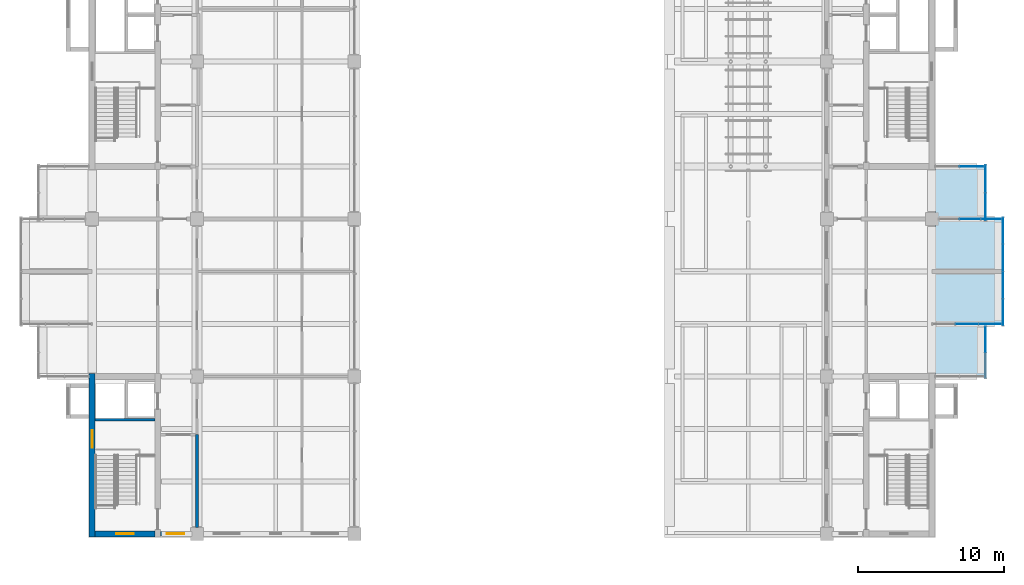
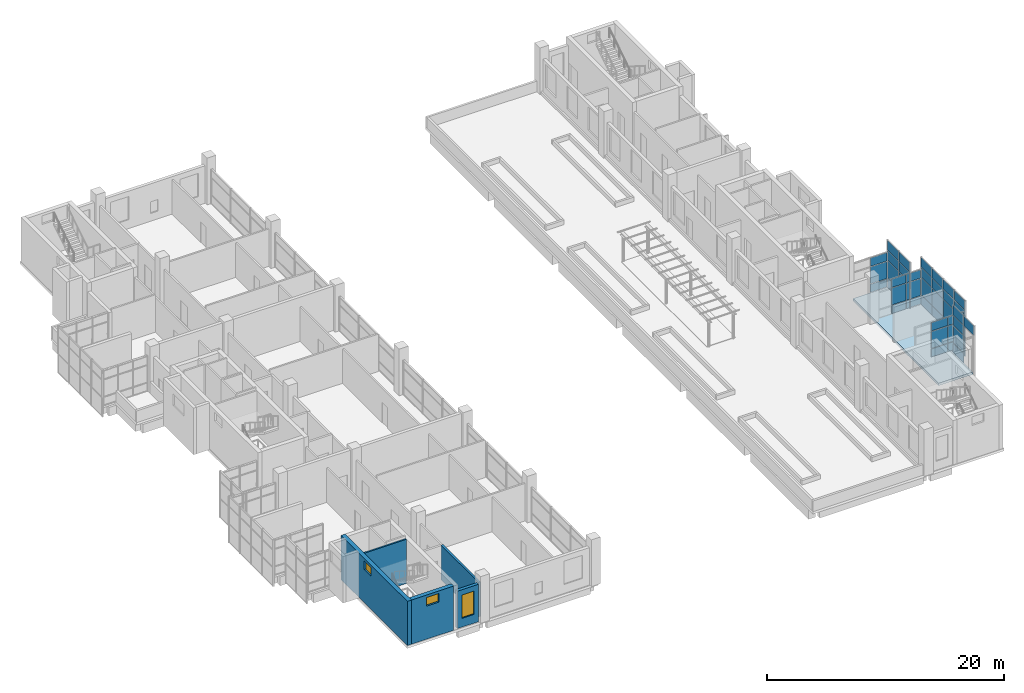
# One storey, part 21 of 32: 44 plates, 5 walls, 3 windows, 1 slab, 3 openings, 6 elements without a shape of their own.
"""IFC4 building model written with IfcOpenShell, lengths in metres."""

from ifc_helpers import new_model, si_unit, direction, frame, frame_2d, origin, origin_2d, place, context, subcontext, project, spatial, polyline, rectangle, outline, extrude, material, layer, layer_set, type_object, element, fill, aggregate, save


model = new_model("IFC4")

# Units and contexts
model_context = context("Model", 3, precision=1e-05, world=origin(), true_north=direction((0.0, 1.0)))
body_context = subcontext(model_context, "Body", "Model", "MODEL_VIEW")
ifc_project = project(units=[si_unit("LENGTHUNIT", "METRE"), si_unit("AREAUNIT", "SQUARE_METRE"), si_unit("VOLUMEUNIT", "CUBIC_METRE"), si_unit("PLANEANGLEUNIT", "RADIAN"), si_unit("MASSUNIT", "GRAM", prefix="KILO")], contexts=[model_context])

# Site, building, storey
site_placement = place(None, origin())
site = spatial("IfcSite", under=ifc_project, at=site_placement, CompositionType="ELEMENT")
building_placement = place(site_placement, origin())
building = spatial("IfcBuilding", under=site, at=building_placement, Name="Basin Gate Institute", CompositionType="ELEMENT")
storey_placement = place(building_placement, frame((0.0, 0.0, 41.39990234375)))
storey = spatial("IfcBuildingStorey", under=building, at=storey_placement, Name="L08", CompositionType="ELEMENT", Elevation=41.39990234375)

# Slab
ifc_material_1 = material(Name="Concrete 40 MPa", Category="concrete")
ifc_layer_1 = layer(ifc_material_1, 0.25)
ifc_layer_set_1 = layer_set([ifc_layer_1], Name="Concrete 40 MPa")
slab_type = type_object("IfcSlabType", Name="Slab SL4 R120", PredefinedType="FLOOR", material=ifc_layer_set_1)
slab_placement = place(storey_placement, frame((0.0, 0.0, -0.25)))
element("IfcSlab", 1, at=slab_placement, inside=storey, type_object=slab_type, material=ifc_layer_set_1, Name="SLAB/L08/EK11", PredefinedType="FLOOR", context=body_context, shape_type="SweptSolid", body=[
    extrude(outline(polyline([(119.050048828125, 45.89990234375), (119.050048828125, 60.300048828125), (122.39990234375, 60.300048828125), (122.39990234375, 56.699951171875), (123.60009765625, 56.699951171875), (123.60009765625, 49.5), (122.39990234375, 49.5), (122.39990234375, 45.89990234375), (119.050048828125, 45.89990234375)])), origin(), (0.0, 0.0, 1.0), 0.25),
])

# Curtain wall, plates
ifc_material_2 = material(Name="Aluminium-framed glazing", Category="aluminium")
ifc_layer_2 = layer(ifc_material_2, 0.14990234375)
ifc_layer_set_2 = layer_set([ifc_layer_2], Name="Capsule front curtain wall CW1")
curtain_wall_type = type_object("IfcCurtainWallType", Name="Capsule front curtain wall CW1", PredefinedType="NOTDEFINED", material=ifc_layer_set_2)
curtain_wall_1_placement = place(storey_placement, origin())
curtain_wall_1 = element("IfcCurtainWall", 2, at=curtain_wall_1_placement, inside=storey, type_object=curtain_wall_type, material=ifc_layer_set_2, Name="Capsule front curtain wall E wing capsule end L08 line 5", PredefinedType="NOTDEFINED")
ifc_material_3 = material(Name="Aluminium insulated spandrel panel", Category="aluminium")
ifc_layer_3 = layer(ifc_material_3, 0.050048828125)
ifc_layer_set_3 = layer_set([ifc_layer_3], Name="Spandrel panel PN2")
plate_type_1 = type_object("IfcPlateType", Name="Spandrel panel PN2", PredefinedType="CURTAIN_PANEL", material=ifc_layer_set_3)
plate_1_placement = place(storey_placement, frame((122.78759765625, 49.5, 0.06005859375), z_axis=(0.0, 0.0, 1.0), x_axis=(-1.0, 0.0, 0.0)))
plate_1 = element("IfcPlate", 3, at=plate_1_placement, type_object=plate_type_1, material=ifc_layer_set_3, Name="CW1 spandrel panel 1.1", PredefinedType="CURTAIN_PANEL", context=body_context, shape_type="SweptSolid", body=[
    extrude(rectangle(XDim=1.52490234375, YDim=0.050048828125, at=origin_2d()), origin(), (0.0, 0.0, 1.0), 0.81005859375),
])
plate_2_placement = place(storey_placement, frame((121.199951171875, 49.5, 0.06005859375), z_axis=(0.0, 0.0, 1.0), x_axis=(-1.0, 0.0, 0.0)))
plate_2 = element("IfcPlate", 4, at=plate_2_placement, type_object=plate_type_1, material=ifc_layer_set_3, Name="CW1 spandrel panel 2.1", PredefinedType="CURTAIN_PANEL", context=body_context, shape_type="SweptSolid", body=[
    extrude(rectangle(XDim=1.550048828125, YDim=0.050048828125, at=origin_2d()), origin(), (0.0, 0.0, 1.0), 0.81005859375),
])

curtain_wall_2_placement = place(storey_placement, origin())
curtain_wall_2 = element("IfcCurtainWall", 5, at=curtain_wall_2_placement, inside=storey, type_object=curtain_wall_type, material=ifc_layer_set_2, Name="Capsule front curtain wall E wing capsule end L08 line 7", PredefinedType="NOTDEFINED")
plate_3_placement = place(storey_placement, frame((122.862548828125, 56.699951171875, 0.06005859375), z_axis=(0.0, 0.0, 1.0), x_axis=(-1.0, 0.0, 0.0)))
plate_3 = element("IfcPlate", 6, at=plate_3_placement, type_object=plate_type_1, material=ifc_layer_set_3, Name="CW1 spandrel panel 1.1", PredefinedType="CURTAIN_PANEL", context=body_context, shape_type="SweptSolid", body=[
    extrude(rectangle(XDim=1.375, YDim=0.050048828125, at=origin_2d()), origin(), (0.0, 0.0, 1.0), 0.81005859375),
])
plate_4_placement = place(storey_placement, frame((121.425048828125, 56.699951171875, 0.06005859375), z_axis=(0.0, 0.0, 1.0), x_axis=(-1.0, 0.0, 0.0)))
plate_4 = element("IfcPlate", 7, at=plate_4_placement, type_object=plate_type_1, material=ifc_layer_set_3, Name="CW1 spandrel panel 2.1", PredefinedType="CURTAIN_PANEL", context=body_context, shape_type="SweptSolid", body=[
    extrude(rectangle(XDim=1.39990234375, YDim=0.050048828125, at=origin_2d()), origin(), (0.0, 0.0, 1.0), 0.81005859375),
])

# Curtain wall, plate
curtain_wall_3_placement = place(storey_placement, origin())
curtain_wall_3 = element("IfcCurtainWall", 8, at=curtain_wall_3_placement, inside=storey, type_object=curtain_wall_type, material=ifc_layer_set_2, Name="Capsule front curtain wall E wing capsule end L08 line 8", PredefinedType="NOTDEFINED")
plate_5_placement = place(storey_placement, frame((121.53759765625, 60.300048828125, 0.06005859375), z_axis=(0.0, 0.0, 1.0), x_axis=(-1.0, 0.0, 0.0)))
plate_5 = element("IfcPlate", 9, at=plate_5_placement, type_object=plate_type_1, material=ifc_layer_set_3, Name="CW1 spandrel panel 1.1", PredefinedType="CURTAIN_PANEL", context=body_context, shape_type="SweptSolid", body=[
    extrude(rectangle(XDim=1.625, YDim=0.050048828125, at=origin_2d()), origin(), (0.0, 0.0, 1.0), 0.81005859375),
])

# Curtain wall, plates
curtain_wall_4_placement = place(storey_placement, origin())
curtain_wall_4 = element("IfcCurtainWall", 10, at=curtain_wall_4_placement, inside=storey, type_object=curtain_wall_type, material=ifc_layer_set_2, Name="Capsule front curtain wall E wing capsule 1 L08 front 1", PredefinedType="NOTDEFINED")
plate_6_placement = place(storey_placement, frame((122.47509765625, 46.66259765625, 3.780029296875), z_axis=(0.0, 0.0, 1.0), x_axis=(0.0, 1.0, 0.0)))
plate_6 = element("IfcPlate", 11, at=plate_6_placement, type_object=plate_type_1, material=ifc_layer_set_3, Name="CW1 spandrel panel 1.4", PredefinedType="CURTAIN_PANEL", context=body_context, shape_type="SweptSolid", body=[
    extrude(rectangle(XDim=1.72509765625, YDim=0.050048828125, at=origin_2d()), origin(), (0.0, 0.0, 1.0), 0.9599609375),
])
plate_7_placement = place(storey_placement, frame((122.47509765625, 48.4375, -0.98974609375), z_axis=(0.0, 0.0, 1.0), x_axis=(0.0, 1.0, 0.0)))
plate_7 = element("IfcPlate", 12, at=plate_7_placement, type_object=plate_type_1, material=ifc_layer_set_3, Name="CW1 spandrel panel 2.1", PredefinedType="CURTAIN_PANEL", context=body_context, shape_type="SweptSolid", body=[
    extrude(rectangle(XDim=1.72509765625, YDim=0.050048828125, at=origin_2d()), origin(), (0.0, 0.0, 1.0), 1.860107421875),
])
plate_8_placement = place(storey_placement, frame((122.47509765625, 48.4375, 3.780029296875), z_axis=(0.0, 0.0, 1.0), x_axis=(0.0, 1.0, 0.0)))
plate_8 = element("IfcPlate", 13, at=plate_8_placement, type_object=plate_type_1, material=ifc_layer_set_3, Name="CW1 spandrel panel 2.4", PredefinedType="CURTAIN_PANEL", context=body_context, shape_type="SweptSolid", body=[
    extrude(rectangle(XDim=1.72509765625, YDim=0.050048828125, at=origin_2d()), origin(), (0.0, 0.0, 1.0), 0.9599609375),
])

curtain_wall_5_placement = place(storey_placement, origin())
curtain_wall_5 = element("IfcCurtainWall", 14, at=curtain_wall_5_placement, inside=storey, type_object=curtain_wall_type, material=ifc_layer_set_2, Name="Capsule front curtain wall E wing capsule 1 L08 front 2", PredefinedType="NOTDEFINED")
plate_9_placement = place(storey_placement, frame((123.675048828125, 50.300048828125, -0.98974609375), z_axis=(0.0, 0.0, 1.0), x_axis=(0.0, 1.0, 0.0)))
plate_9 = element("IfcPlate", 15, at=plate_9_placement, type_object=plate_type_1, material=ifc_layer_set_3, Name="CW1 spandrel panel 1.1", PredefinedType="CURTAIN_PANEL", context=body_context, shape_type="SweptSolid", body=[
    extrude(rectangle(XDim=1.800048828125, YDim=0.050048828125, at=origin_2d()), origin(), (0.0, 0.0, 1.0), 1.860107421875),
])
plate_10_placement = place(storey_placement, frame((123.675048828125, 50.300048828125, 3.780029296875), z_axis=(0.0, 0.0, 1.0), x_axis=(0.0, 1.0, 0.0)))
plate_10 = element("IfcPlate", 16, at=plate_10_placement, type_object=plate_type_1, material=ifc_layer_set_3, Name="CW1 spandrel panel 1.4", PredefinedType="CURTAIN_PANEL", context=body_context, shape_type="SweptSolid", body=[
    extrude(rectangle(XDim=1.800048828125, YDim=0.050048828125, at=origin_2d()), origin(), (0.0, 0.0, 1.0), 0.9599609375),
])
plate_11_placement = place(storey_placement, frame((123.675048828125, 52.16259765625, -0.98974609375), z_axis=(0.0, 0.0, 1.0), x_axis=(0.0, 1.0, 0.0)))
plate_11 = element("IfcPlate", 17, at=plate_11_placement, type_object=plate_type_1, material=ifc_layer_set_3, Name="CW1 spandrel panel 2.1", PredefinedType="CURTAIN_PANEL", context=body_context, shape_type="SweptSolid", body=[
    extrude(rectangle(XDim=1.824951171875, YDim=0.050048828125, at=origin_2d()), origin(), (0.0, 0.0, 1.0), 1.860107421875),
])
plate_12_placement = place(storey_placement, frame((123.675048828125, 52.16259765625, 3.780029296875), z_axis=(0.0, 0.0, 1.0), x_axis=(0.0, 1.0, 0.0)))
plate_12 = element("IfcPlate", 18, at=plate_12_placement, type_object=plate_type_1, material=ifc_layer_set_3, Name="CW1 spandrel panel 2.4", PredefinedType="CURTAIN_PANEL", context=body_context, shape_type="SweptSolid", body=[
    extrude(rectangle(XDim=1.824951171875, YDim=0.050048828125, at=origin_2d()), origin(), (0.0, 0.0, 1.0), 0.9599609375),
])
plate_13_placement = place(storey_placement, frame((123.675048828125, 54.03759765625, -0.98974609375), z_axis=(0.0, 0.0, 1.0), x_axis=(0.0, 1.0, 0.0)))
plate_13 = element("IfcPlate", 19, at=plate_13_placement, type_object=plate_type_1, material=ifc_layer_set_3, Name="CW1 spandrel panel 3.1", PredefinedType="CURTAIN_PANEL", context=body_context, shape_type="SweptSolid", body=[
    extrude(rectangle(XDim=1.824951171875, YDim=0.050048828125, at=origin_2d()), origin(), (0.0, 0.0, 1.0), 1.860107421875),
])
plate_14_placement = place(storey_placement, frame((123.675048828125, 54.03759765625, 3.780029296875), z_axis=(0.0, 0.0, 1.0), x_axis=(0.0, 1.0, 0.0)))
plate_14 = element("IfcPlate", 20, at=plate_14_placement, type_object=plate_type_1, material=ifc_layer_set_3, Name="CW1 spandrel panel 3.4", PredefinedType="CURTAIN_PANEL", context=body_context, shape_type="SweptSolid", body=[
    extrude(rectangle(XDim=1.824951171875, YDim=0.050048828125, at=origin_2d()), origin(), (0.0, 0.0, 1.0), 0.9599609375),
])
plate_15_placement = place(storey_placement, frame((123.675048828125, 55.89990234375, -0.98974609375), z_axis=(0.0, 0.0, 1.0), x_axis=(0.0, 1.0, 0.0)))
plate_15 = element("IfcPlate", 21, at=plate_15_placement, type_object=plate_type_1, material=ifc_layer_set_3, Name="CW1 spandrel panel 4.1", PredefinedType="CURTAIN_PANEL", context=body_context, shape_type="SweptSolid", body=[
    extrude(rectangle(XDim=1.800048828125, YDim=0.050048828125, at=origin_2d()), origin(), (0.0, 0.0, 1.0), 1.860107421875),
])
plate_16_placement = place(storey_placement, frame((123.675048828125, 55.89990234375, 3.780029296875), z_axis=(0.0, 0.0, 1.0), x_axis=(0.0, 1.0, 0.0)))
plate_16 = element("IfcPlate", 22, at=plate_16_placement, type_object=plate_type_1, material=ifc_layer_set_3, Name="CW1 spandrel panel 4.4", PredefinedType="CURTAIN_PANEL", context=body_context, shape_type="SweptSolid", body=[
    extrude(rectangle(XDim=1.800048828125, YDim=0.050048828125, at=origin_2d()), origin(), (0.0, 0.0, 1.0), 0.9599609375),
])

curtain_wall_6_placement = place(storey_placement, origin())
curtain_wall_6 = element("IfcCurtainWall", 23, at=curtain_wall_6_placement, inside=storey, type_object=curtain_wall_type, material=ifc_layer_set_2, Name="Capsule front curtain wall E wing capsule 1 L08 front 4", PredefinedType="NOTDEFINED")
plate_17_placement = place(storey_placement, frame((122.47509765625, 57.53759765625, -0.98974609375), z_axis=(0.0, 0.0, 1.0), x_axis=(0.0, 1.0, 0.0)))
plate_17 = element("IfcPlate", 24, at=plate_17_placement, type_object=plate_type_1, material=ifc_layer_set_3, Name="CW1 spandrel panel 1.1", PredefinedType="CURTAIN_PANEL", context=body_context, shape_type="SweptSolid", body=[
    extrude(rectangle(XDim=1.875, YDim=0.050048828125, at=origin_2d()), origin(), (0.0, 0.0, 1.0), 1.860107421875),
])
plate_18_placement = place(storey_placement, frame((122.47509765625, 57.53759765625, 3.780029296875), z_axis=(0.0, 0.0, 1.0), x_axis=(0.0, 1.0, 0.0)))
plate_18 = element("IfcPlate", 25, at=plate_18_placement, type_object=plate_type_1, material=ifc_layer_set_3, Name="CW1 spandrel panel 1.4", PredefinedType="CURTAIN_PANEL", context=body_context, shape_type="SweptSolid", body=[
    extrude(rectangle(XDim=1.875, YDim=0.050048828125, at=origin_2d()), origin(), (0.0, 0.0, 1.0), 0.9599609375),
])
plate_19_placement = place(storey_placement, frame((122.47509765625, 59.46240234375, -0.98974609375), z_axis=(0.0, 0.0, 1.0), x_axis=(0.0, 1.0, 0.0)))
plate_19 = element("IfcPlate", 26, at=plate_19_placement, type_object=plate_type_1, material=ifc_layer_set_3, Name="CW1 spandrel panel 2.1", PredefinedType="CURTAIN_PANEL", context=body_context, shape_type="SweptSolid", body=[
    extrude(rectangle(XDim=1.875, YDim=0.050048828125, at=origin_2d()), origin(), (0.0, 0.0, 1.0), 1.860107421875),
])
plate_20_placement = place(storey_placement, frame((122.47509765625, 59.46240234375, 3.780029296875), z_axis=(0.0, 0.0, 1.0), x_axis=(0.0, 1.0, 0.0)))
plate_20 = element("IfcPlate", 27, at=plate_20_placement, type_object=plate_type_1, material=ifc_layer_set_3, Name="CW1 spandrel panel 2.4", PredefinedType="CURTAIN_PANEL", context=body_context, shape_type="SweptSolid", body=[
    extrude(rectangle(XDim=1.875, YDim=0.050048828125, at=origin_2d()), origin(), (0.0, 0.0, 1.0), 0.9599609375),
])

# Plate
ifc_material_4 = material(Name="Double glazed unit")
ifc_layer_4 = layer(ifc_material_4, 0.028076171875)
ifc_layer_set_4 = layer_set([ifc_layer_4], Name="Vision panel PN1")
plate_type_2 = type_object("IfcPlateType", Name="Vision panel PN1", PredefinedType="CURTAIN_PANEL", material=ifc_layer_set_4)
plate_21_placement = place(storey_placement, frame((122.78759765625, 49.5, 0.93017578125), z_axis=(0.0, 0.0, 1.0), x_axis=(-1.0, 0.0, 0.0)))
plate_21 = element("IfcPlate", 28, at=plate_21_placement, type_object=plate_type_2, material=ifc_layer_set_4, Name="CW1 vision panel 1.2", PredefinedType="CURTAIN_PANEL", context=body_context, shape_type="SweptSolid", body=[
    extrude(rectangle(XDim=1.52490234375, YDim=0.028076171875, at=origin_2d()), origin(), (0.0, 0.0, 1.0), 1.739990234375),
])

plate_22_placement = place(storey_placement, frame((122.78759765625, 49.5, 2.72998046875), z_axis=(0.0, 0.0, 1.0), x_axis=(-1.0, 0.0, 0.0)))
plate_22 = element("IfcPlate", 29, at=plate_22_placement, type_object=plate_type_2, material=ifc_layer_set_4, Name="CW1 vision panel 1.3", PredefinedType="CURTAIN_PANEL", context=body_context, shape_type="SweptSolid", body=[
    extrude(rectangle(XDim=1.52490234375, YDim=0.028076171875, at=origin_2d()), origin(), (0.0, 0.0, 1.0), 0.860107421875),
])

plate_23_placement = place(storey_placement, frame((121.199951171875, 49.5, 0.93017578125), z_axis=(0.0, 0.0, 1.0), x_axis=(-1.0, 0.0, 0.0)))
plate_23 = element("IfcPlate", 30, at=plate_23_placement, type_object=plate_type_2, material=ifc_layer_set_4, Name="CW1 vision panel 2.2", PredefinedType="CURTAIN_PANEL", context=body_context, shape_type="SweptSolid", body=[
    extrude(rectangle(XDim=1.550048828125, YDim=0.028076171875, at=origin_2d()), origin(), (0.0, 0.0, 1.0), 1.739990234375),
])

plate_24_placement = place(storey_placement, frame((121.199951171875, 49.5, 2.72998046875), z_axis=(0.0, 0.0, 1.0), x_axis=(-1.0, 0.0, 0.0)))
plate_24 = element("IfcPlate", 31, at=plate_24_placement, type_object=plate_type_2, material=ifc_layer_set_4, Name="CW1 vision panel 2.3", PredefinedType="CURTAIN_PANEL", context=body_context, shape_type="SweptSolid", body=[
    extrude(rectangle(XDim=1.550048828125, YDim=0.028076171875, at=origin_2d()), origin(), (0.0, 0.0, 1.0), 0.860107421875),
])

aggregate(curtain_wall_1, [plate_1, plate_21, plate_22, plate_2, plate_23, plate_24])

plate_25_placement = place(storey_placement, frame((122.862548828125, 56.699951171875, 0.93017578125), z_axis=(0.0, 0.0, 1.0), x_axis=(-1.0, 0.0, 0.0)))
plate_25 = element("IfcPlate", 32, at=plate_25_placement, type_object=plate_type_2, material=ifc_layer_set_4, Name="CW1 vision panel 1.2", PredefinedType="CURTAIN_PANEL", context=body_context, shape_type="SweptSolid", body=[
    extrude(rectangle(XDim=1.375, YDim=0.028076171875, at=origin_2d()), origin(), (0.0, 0.0, 1.0), 1.739990234375),
])

plate_26_placement = place(storey_placement, frame((122.862548828125, 56.699951171875, 2.72998046875), z_axis=(0.0, 0.0, 1.0), x_axis=(-1.0, 0.0, 0.0)))
plate_26 = element("IfcPlate", 33, at=plate_26_placement, type_object=plate_type_2, material=ifc_layer_set_4, Name="CW1 vision panel 1.3", PredefinedType="CURTAIN_PANEL", context=body_context, shape_type="SweptSolid", body=[
    extrude(rectangle(XDim=1.375, YDim=0.028076171875, at=origin_2d()), origin(), (0.0, 0.0, 1.0), 0.860107421875),
])

plate_27_placement = place(storey_placement, frame((121.425048828125, 56.699951171875, 0.93017578125), z_axis=(0.0, 0.0, 1.0), x_axis=(-1.0, 0.0, 0.0)))
plate_27 = element("IfcPlate", 34, at=plate_27_placement, type_object=plate_type_2, material=ifc_layer_set_4, Name="CW1 vision panel 2.2", PredefinedType="CURTAIN_PANEL", context=body_context, shape_type="SweptSolid", body=[
    extrude(rectangle(XDim=1.39990234375, YDim=0.028076171875, at=origin_2d()), origin(), (0.0, 0.0, 1.0), 1.739990234375),
])

plate_28_placement = place(storey_placement, frame((121.425048828125, 56.699951171875, 2.72998046875), z_axis=(0.0, 0.0, 1.0), x_axis=(-1.0, 0.0, 0.0)))
plate_28 = element("IfcPlate", 35, at=plate_28_placement, type_object=plate_type_2, material=ifc_layer_set_4, Name="CW1 vision panel 2.3", PredefinedType="CURTAIN_PANEL", context=body_context, shape_type="SweptSolid", body=[
    extrude(rectangle(XDim=1.39990234375, YDim=0.028076171875, at=origin_2d()), origin(), (0.0, 0.0, 1.0), 0.860107421875),
])

aggregate(curtain_wall_2, [plate_3, plate_25, plate_26, plate_4, plate_27, plate_28])

plate_29_placement = place(storey_placement, frame((121.53759765625, 60.300048828125, 0.93017578125), z_axis=(0.0, 0.0, 1.0), x_axis=(-1.0, 0.0, 0.0)))
plate_29 = element("IfcPlate", 36, at=plate_29_placement, type_object=plate_type_2, material=ifc_layer_set_4, Name="CW1 vision panel 1.2", PredefinedType="CURTAIN_PANEL", context=body_context, shape_type="SweptSolid", body=[
    extrude(rectangle(XDim=1.625, YDim=0.028076171875, at=origin_2d()), origin(), (0.0, 0.0, 1.0), 1.739990234375),
])

plate_30_placement = place(storey_placement, frame((121.53759765625, 60.300048828125, 2.72998046875), z_axis=(0.0, 0.0, 1.0), x_axis=(-1.0, 0.0, 0.0)))
plate_30 = element("IfcPlate", 37, at=plate_30_placement, type_object=plate_type_2, material=ifc_layer_set_4, Name="CW1 vision panel 1.3", PredefinedType="CURTAIN_PANEL", context=body_context, shape_type="SweptSolid", body=[
    extrude(rectangle(XDim=1.625, YDim=0.028076171875, at=origin_2d()), origin(), (0.0, 0.0, 1.0), 0.860107421875),
])

aggregate(curtain_wall_3, [plate_5, plate_29, plate_30])

plate_31_placement = place(storey_placement, frame((122.47509765625, 48.4375, 0.93017578125), z_axis=(0.0, 0.0, 1.0), x_axis=(0.0, 1.0, 0.0)))
plate_31 = element("IfcPlate", 38, at=plate_31_placement, type_object=plate_type_2, material=ifc_layer_set_4, Name="CW1 vision panel 2.2", PredefinedType="CURTAIN_PANEL", context=body_context, shape_type="SweptSolid", body=[
    extrude(rectangle(XDim=1.72509765625, YDim=0.028076171875, at=origin_2d()), origin(), (0.0, 0.0, 1.0), 1.739990234375),
])

plate_32_placement = place(storey_placement, frame((122.47509765625, 48.4375, 2.72998046875), z_axis=(0.0, 0.0, 1.0), x_axis=(0.0, 1.0, 0.0)))
plate_32 = element("IfcPlate", 39, at=plate_32_placement, type_object=plate_type_2, material=ifc_layer_set_4, Name="CW1 vision panel 2.3", PredefinedType="CURTAIN_PANEL", context=body_context, shape_type="SweptSolid", body=[
    extrude(rectangle(XDim=1.72509765625, YDim=0.028076171875, at=origin_2d()), origin(), (0.0, 0.0, 1.0), 0.989990234375),
])

aggregate(curtain_wall_4, [plate_6, plate_7, plate_31, plate_32, plate_8])

plate_33_placement = place(storey_placement, frame((123.675048828125, 50.300048828125, 0.93017578125), z_axis=(0.0, 0.0, 1.0), x_axis=(0.0, 1.0, 0.0)))
plate_33 = element("IfcPlate", 40, at=plate_33_placement, type_object=plate_type_2, material=ifc_layer_set_4, Name="CW1 vision panel 1.2", PredefinedType="CURTAIN_PANEL", context=body_context, shape_type="SweptSolid", body=[
    extrude(rectangle(XDim=1.800048828125, YDim=0.028076171875, at=origin_2d()), origin(), (0.0, 0.0, 1.0), 1.739990234375),
])

plate_34_placement = place(storey_placement, frame((123.675048828125, 50.300048828125, 2.72998046875), z_axis=(0.0, 0.0, 1.0), x_axis=(0.0, 1.0, 0.0)))
plate_34 = element("IfcPlate", 41, at=plate_34_placement, type_object=plate_type_2, material=ifc_layer_set_4, Name="CW1 vision panel 1.3", PredefinedType="CURTAIN_PANEL", context=body_context, shape_type="SweptSolid", body=[
    extrude(rectangle(XDim=1.800048828125, YDim=0.028076171875, at=origin_2d()), origin(), (0.0, 0.0, 1.0), 0.989990234375),
])

plate_35_placement = place(storey_placement, frame((123.675048828125, 52.16259765625, 0.93017578125), z_axis=(0.0, 0.0, 1.0), x_axis=(0.0, 1.0, 0.0)))
plate_35 = element("IfcPlate", 42, at=plate_35_placement, type_object=plate_type_2, material=ifc_layer_set_4, Name="CW1 vision panel 2.2", PredefinedType="CURTAIN_PANEL", context=body_context, shape_type="SweptSolid", body=[
    extrude(rectangle(XDim=1.824951171875, YDim=0.028076171875, at=origin_2d()), origin(), (0.0, 0.0, 1.0), 1.739990234375),
])

plate_36_placement = place(storey_placement, frame((123.675048828125, 52.16259765625, 2.72998046875), z_axis=(0.0, 0.0, 1.0), x_axis=(0.0, 1.0, 0.0)))
plate_36 = element("IfcPlate", 43, at=plate_36_placement, type_object=plate_type_2, material=ifc_layer_set_4, Name="CW1 vision panel 2.3", PredefinedType="CURTAIN_PANEL", context=body_context, shape_type="SweptSolid", body=[
    extrude(rectangle(XDim=1.824951171875, YDim=0.028076171875, at=origin_2d()), origin(), (0.0, 0.0, 1.0), 0.989990234375),
])

plate_37_placement = place(storey_placement, frame((123.675048828125, 54.03759765625, 0.93017578125), z_axis=(0.0, 0.0, 1.0), x_axis=(0.0, 1.0, 0.0)))
plate_37 = element("IfcPlate", 44, at=plate_37_placement, type_object=plate_type_2, material=ifc_layer_set_4, Name="CW1 vision panel 3.2", PredefinedType="CURTAIN_PANEL", context=body_context, shape_type="SweptSolid", body=[
    extrude(rectangle(XDim=1.824951171875, YDim=0.028076171875, at=origin_2d()), origin(), (0.0, 0.0, 1.0), 1.739990234375),
])

plate_38_placement = place(storey_placement, frame((123.675048828125, 54.03759765625, 2.72998046875), z_axis=(0.0, 0.0, 1.0), x_axis=(0.0, 1.0, 0.0)))
plate_38 = element("IfcPlate", 45, at=plate_38_placement, type_object=plate_type_2, material=ifc_layer_set_4, Name="CW1 vision panel 3.3", PredefinedType="CURTAIN_PANEL", context=body_context, shape_type="SweptSolid", body=[
    extrude(rectangle(XDim=1.824951171875, YDim=0.028076171875, at=origin_2d()), origin(), (0.0, 0.0, 1.0), 0.989990234375),
])

plate_39_placement = place(storey_placement, frame((123.675048828125, 55.89990234375, 0.93017578125), z_axis=(0.0, 0.0, 1.0), x_axis=(0.0, 1.0, 0.0)))
plate_39 = element("IfcPlate", 46, at=plate_39_placement, type_object=plate_type_2, material=ifc_layer_set_4, Name="CW1 vision panel 4.2", PredefinedType="CURTAIN_PANEL", context=body_context, shape_type="SweptSolid", body=[
    extrude(rectangle(XDim=1.800048828125, YDim=0.028076171875, at=origin_2d()), origin(), (0.0, 0.0, 1.0), 1.739990234375),
])

plate_40_placement = place(storey_placement, frame((123.675048828125, 55.89990234375, 2.72998046875), z_axis=(0.0, 0.0, 1.0), x_axis=(0.0, 1.0, 0.0)))
plate_40 = element("IfcPlate", 47, at=plate_40_placement, type_object=plate_type_2, material=ifc_layer_set_4, Name="CW1 vision panel 4.3", PredefinedType="CURTAIN_PANEL", context=body_context, shape_type="SweptSolid", body=[
    extrude(rectangle(XDim=1.800048828125, YDim=0.028076171875, at=origin_2d()), origin(), (0.0, 0.0, 1.0), 0.989990234375),
])

aggregate(curtain_wall_5, [plate_9, plate_33, plate_34, plate_10, plate_11, plate_35, plate_36, plate_12, plate_13, plate_37, plate_38, plate_14, plate_15, plate_39, plate_40, plate_16])

plate_41_placement = place(storey_placement, frame((122.47509765625, 57.53759765625, 0.93017578125), z_axis=(0.0, 0.0, 1.0), x_axis=(0.0, 1.0, 0.0)))
plate_41 = element("IfcPlate", 48, at=plate_41_placement, type_object=plate_type_2, material=ifc_layer_set_4, Name="CW1 vision panel 1.2", PredefinedType="CURTAIN_PANEL", context=body_context, shape_type="SweptSolid", body=[
    extrude(rectangle(XDim=1.875, YDim=0.028076171875, at=origin_2d()), origin(), (0.0, 0.0, 1.0), 1.739990234375),
])

plate_42_placement = place(storey_placement, frame((122.47509765625, 57.53759765625, 2.72998046875), z_axis=(0.0, 0.0, 1.0), x_axis=(0.0, 1.0, 0.0)))
plate_42 = element("IfcPlate", 49, at=plate_42_placement, type_object=plate_type_2, material=ifc_layer_set_4, Name="CW1 vision panel 1.3", PredefinedType="CURTAIN_PANEL", context=body_context, shape_type="SweptSolid", body=[
    extrude(rectangle(XDim=1.875, YDim=0.028076171875, at=origin_2d()), origin(), (0.0, 0.0, 1.0), 0.989990234375),
])

plate_43_placement = place(storey_placement, frame((122.47509765625, 59.46240234375, 0.93017578125), z_axis=(0.0, 0.0, 1.0), x_axis=(0.0, 1.0, 0.0)))
plate_43 = element("IfcPlate", 50, at=plate_43_placement, type_object=plate_type_2, material=ifc_layer_set_4, Name="CW1 vision panel 2.2", PredefinedType="CURTAIN_PANEL", context=body_context, shape_type="SweptSolid", body=[
    extrude(rectangle(XDim=1.875, YDim=0.028076171875, at=origin_2d()), origin(), (0.0, 0.0, 1.0), 1.739990234375),
])

plate_44_placement = place(storey_placement, frame((122.47509765625, 59.46240234375, 2.72998046875), z_axis=(0.0, 0.0, 1.0), x_axis=(0.0, 1.0, 0.0)))
plate_44 = element("IfcPlate", 51, at=plate_44_placement, type_object=plate_type_2, material=ifc_layer_set_4, Name="CW1 vision panel 2.3", PredefinedType="CURTAIN_PANEL", context=body_context, shape_type="SweptSolid", body=[
    extrude(rectangle(XDim=1.875, YDim=0.028076171875, at=origin_2d()), origin(), (0.0, 0.0, 1.0), 0.989990234375),
])

aggregate(curtain_wall_6, [plate_17, plate_41, plate_42, plate_18, plate_19, plate_43, plate_44, plate_20])

# Wall
ifc_material_5 = material(Name="Fire-rated masonry", Category="masonry")
ifc_layer_5 = layer(ifc_material_5, 0.199951171875)
ifc_layer_set_5 = layer_set([ifc_layer_5], Name="Enclosure wall PW2 200 EI 60")
wall_type_1 = type_object("IfcWallType", Name="Enclosure wall PW2 200 EI 60", PredefinedType="PARTITIONING", material=ifc_layer_set_5)
wall_1_placement = place(storey_placement, frame((68.39990234375, 35.550048828125, 0.0), z_axis=(0.0, 0.0, 1.0), x_axis=(0.0, 1.0, 0.0)))
element("IfcWall", 52, at=wall_1_placement, inside=storey, type_object=wall_type_1, material=ifc_layer_set_5, Name="Smoke lobby enclosure wall PW2 L08", PredefinedType="PARTITIONING", context=body_context, shape_type="SweptSolid", body=[
    extrude(rectangle(XDim=6.349853515625, YDim=0.199951171875, at=frame_2d((3.1748046875, 0.0))), origin(), (0.0, 0.0, 1.0), 3.550048828125),
])

# Wall, opening, window
ifc_material_6 = material(Name="Aluminium-faced insulated panel wall", Category="aluminium")
ifc_layer_6 = layer(ifc_material_6, 0.300048828125)
ifc_layer_set_6 = layer_set([ifc_layer_6], Name="External wall EW1 EI 120")
wall_type_2 = type_object("IfcWallType", Name="External wall EW1 EI 120", PredefinedType="STANDARD", material=ifc_layer_set_6)
wall_2_placement = place(storey_placement, frame((65.89990234375, 35.10009765625, 0.0), z_axis=(0.0, 0.0, 1.0), x_axis=(1.0, 0.0, 0.0)))
wall_2 = element("IfcWall", 53, at=wall_2_placement, inside=storey, type_object=wall_type_2, material=ifc_layer_set_6, Name="External end wall W wing south L08 1", PredefinedType="STANDARD", context=body_context, shape_type="SweptSolid", body=[
    extrude(rectangle(XDim=2.050048828125, YDim=0.300048828125, at=frame_2d((1.02490234375, 0.0))), origin(), (0.0, 0.0, 1.0), 3.85009765625),
])
opening_1_placement = place(wall_2_placement, frame((0.425048828125, 0.0, 0.89990234375)))
opening_1 = element("IfcOpeningElement", 54, at=opening_1_placement, cuts=wall_2, Name="Opening WN4", PredefinedType="OPENING", context=body_context, shape_type="SweptSolid", body=[
    extrude(rectangle(XDim=1.199951171875, YDim=2.39990234375, at=frame_2d((0.60009765625, 1.199951171875))), frame((0.0, 0.16015625, 0.0), z_axis=(0.0, -1.0, 0.0), x_axis=(1.0, 0.0, 0.0)), (0.0, 0.0, 1.0), 0.320068359375),
])
ifc_material_7 = material(Name="Aluminium-framed double glazing", Category="aluminium")
window_type_1 = type_object("IfcWindowType", Name="Corridor end window WN4", PartitioningType="SINGLE_PANEL", PredefinedType="WINDOW", material=ifc_material_7)
window_1_placement = place(opening_1_placement, origin())
window_1 = element("IfcWindow", 55, at=window_1_placement, inside=storey, type_object=window_type_1, material=ifc_material_7, Name="Corridor end window W wing S L08", OverallHeight=2.39990234375, OverallWidth=1.199951171875, PartitioningType="SINGLE_PANEL", PredefinedType="WINDOW", context=body_context, shape_type="SweptSolid", body=[
    extrude(rectangle(XDim=1.199951171875, YDim=2.39990234375, at=frame_2d((0.60009765625, 1.199951171875))), frame((0.0, 0.030029296875, 0.0), z_axis=(0.0, -1.0, 0.0), x_axis=(1.0, 0.0, 0.0)), (0.0, 0.0, 1.0), 0.06005859375),
])
fill(opening_1, window_1)

# Wall
ifc_material_8 = material(Name="Concrete 40 MPa", Category="concrete")
ifc_layer_7 = layer(ifc_material_8, 0.14990234375)
ifc_layer_set_7 = layer_set([ifc_layer_7], Name="Concrete 40 MPa")
wall_type_3 = type_object("IfcWallType", Name="Wall SE1 stair enclosure R120", PredefinedType="SOLIDWALL", material=ifc_layer_set_7)
wall_3_placement = place(storey_placement, frame((61.39990234375, 42.925048828125, 0.0), z_axis=(0.0, 0.0, 1.0), x_axis=(1.0, 0.0, 0.0)))
element("IfcWall", 56, at=wall_3_placement, inside=storey, type_object=wall_type_3, material=ifc_layer_set_7, Name="Stair enclosure wall ST-WS L08", PredefinedType="SOLIDWALL", context=body_context, shape_type="SweptSolid", body=[
    extrude(rectangle(XDim=4.10009765625, YDim=0.14990234375, at=frame_2d((2.050048828125, 0.0))), origin(), (0.0, 0.0, 1.0), 4.550048828125),
])

# Wall, opening, window
ifc_material_9 = material(Name="Concrete 50 MPa", Category="concrete")
ifc_layer_8 = layer(ifc_material_9, 0.39990234375)
ifc_layer_set_8 = layer_set([ifc_layer_8], Name="Concrete 50 MPa")
wall_type_4 = type_object("IfcWallType", Name="Wall SW2 R120", PredefinedType="SHEAR", material=ifc_layer_set_8)
wall_4_placement = place(storey_placement, frame((61.199951171875, 34.89990234375, 0.0), z_axis=(0.0, 0.0, 1.0), x_axis=(0.0, 1.0, 0.0)))
wall_4 = element("IfcWall", 57, at=wall_4_placement, inside=storey, type_object=wall_type_4, material=ifc_layer_set_8, Name="WALL/L08/WS/L", PredefinedType="SHEAR", context=body_context, shape_type="SweptSolid", body=[
    extrude(rectangle(XDim=11.2001953125, YDim=0.39990234375, at=frame_2d((5.60009765625, 0.0))), origin(), (0.0, 0.0, 1.0), 4.550048828125),
])
opening_2_placement = place(wall_4_placement, frame((6.110107421875, 0.0, 3.39990234375)))
opening_2 = element("IfcOpeningElement", 58, at=opening_2_placement, cuts=wall_4, Name="Opening WT2", PredefinedType="OPENING", context=body_context, shape_type="SweptSolid", body=[
    extrude(rectangle(XDim=1.199951171875, YDim=0.89990234375, at=frame_2d((0.60009765625, 0.449951171875))), frame((0.0, 0.2099609375, 0.0), z_axis=(0.0, -1.0, 0.0), x_axis=(1.0, 0.0, 0.0)), (0.0, 0.0, 1.0), 0.419921875),
])
ifc_material_10 = material(Name="Fire-resistant glazing in steel-free frame", Category="steel")
window_type_2 = type_object("IfcWindowType", Name="Rated stair window EI 120 WT2", PartitioningType="SINGLE_PANEL", PredefinedType="WINDOW", material=ifc_material_10)
window_2_placement = place(opening_2_placement, origin())
window_2 = element("IfcWindow", 59, at=window_2_placement, inside=storey, type_object=window_type_2, material=ifc_material_10, Name="Rated stair window EI 120 WS landing L08", OverallHeight=0.89990234375, OverallWidth=1.199951171875, PartitioningType="SINGLE_PANEL", PredefinedType="WINDOW", context=body_context, shape_type="SweptSolid", body=[
    extrude(rectangle(XDim=1.199951171875, YDim=0.89990234375, at=frame_2d((0.60009765625, 0.449951171875))), frame((0.0, 0.030029296875, 0.0), z_axis=(0.0, -1.0, 0.0), x_axis=(1.0, 0.0, 0.0)), (0.0, 0.0, 1.0), 0.06005859375),
])
fill(opening_2, window_2)

wall_5_placement = place(storey_placement, frame((61.39990234375, 35.10009765625, 0.0), z_axis=(0.0, 0.0, 1.0), x_axis=(1.0, 0.0, 0.0)))
wall_5 = element("IfcWall", 60, at=wall_5_placement, inside=storey, type_object=wall_type_4, material=ifc_layer_set_8, Name="WALL/L08/WS/S", PredefinedType="SHEAR", context=body_context, shape_type="SweptSolid", body=[
    extrude(rectangle(XDim=4.10009765625, YDim=0.39990234375, at=frame_2d((2.050048828125, 0.0))), origin(), (0.0, 0.0, 1.0), 4.550048828125),
])
opening_3_placement = place(wall_5_placement, frame((1.449951171875, 0.0, 3.39990234375)))
opening_3 = element("IfcOpeningElement", 61, at=opening_3_placement, cuts=wall_5, Name="Opening WT2", PredefinedType="OPENING", context=body_context, shape_type="SweptSolid", body=[
    extrude(rectangle(XDim=1.199951171875, YDim=0.89990234375, at=frame_2d((0.60009765625, 0.449951171875))), frame((0.0, 0.2099609375, 0.0), z_axis=(0.0, -1.0, 0.0), x_axis=(1.0, 0.0, 0.0)), (0.0, 0.0, 1.0), 0.419921875),
])
window_3_placement = place(opening_3_placement, origin())
window_3 = element("IfcWindow", 62, at=window_3_placement, inside=storey, type_object=window_type_2, material=ifc_material_10, Name="Rated stair window EI 120 WS end L08", OverallHeight=0.89990234375, OverallWidth=1.199951171875, PartitioningType="SINGLE_PANEL", PredefinedType="WINDOW", context=body_context, shape_type="SweptSolid", body=[
    extrude(rectangle(XDim=1.199951171875, YDim=0.89990234375, at=frame_2d((0.60009765625, 0.449951171875))), frame((0.0, 0.030029296875, 0.0), z_axis=(0.0, -1.0, 0.0), x_axis=(1.0, 0.0, 0.0)), (0.0, 0.0, 1.0), 0.06005859375),
])
fill(opening_3, window_3)

save(model, "model.ifc")
